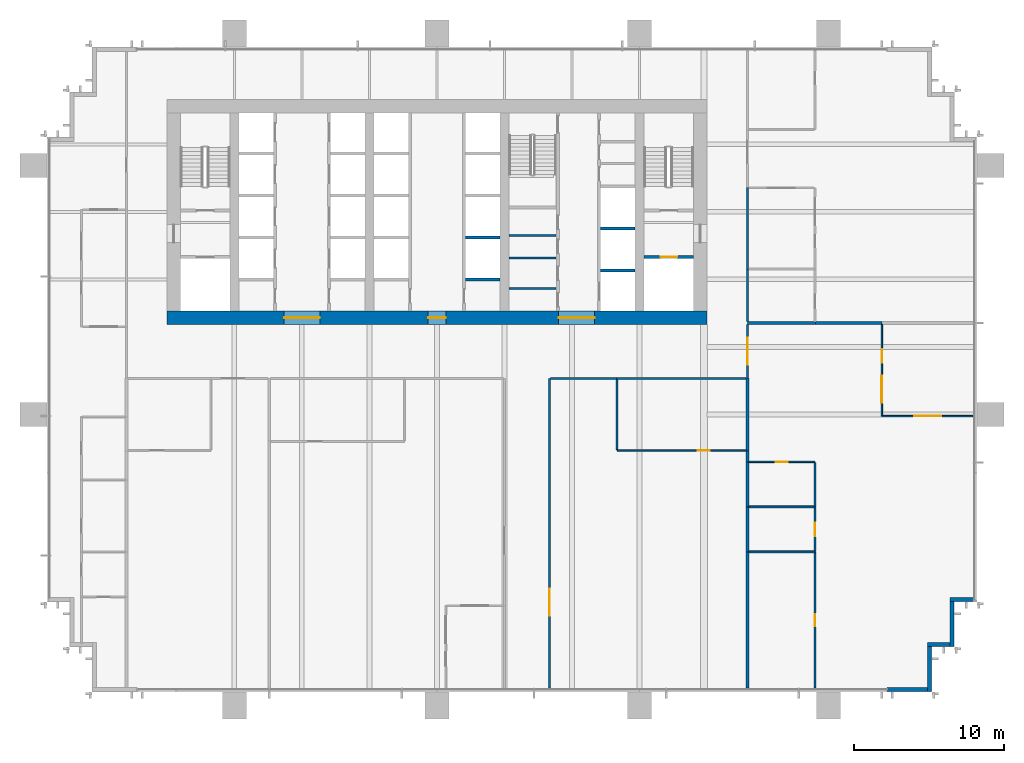
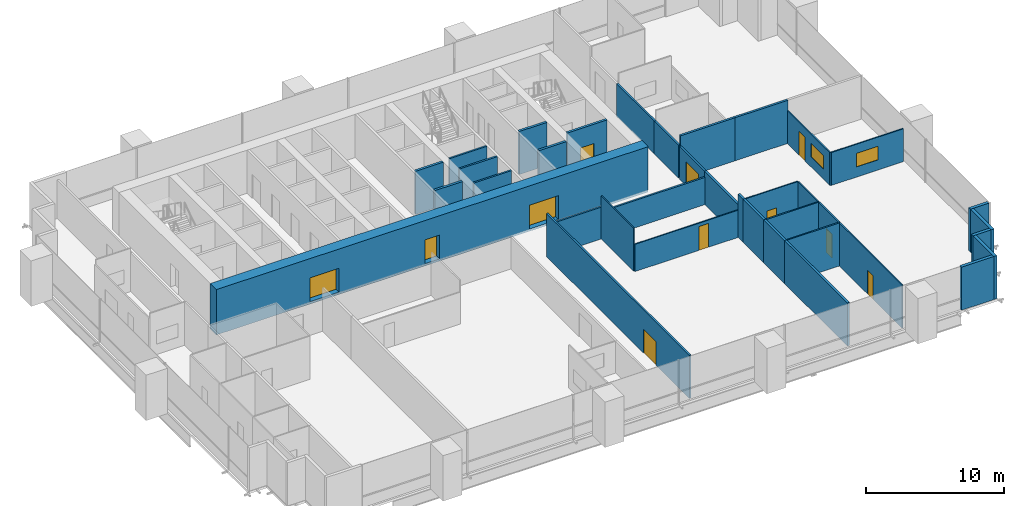
# One storey, part 13 of 17: 37 walls, 11 doors, 2 windows, 13 openings.
"""IFC4 building model written with IfcOpenShell, lengths in metres."""

from ifc_helpers import new_model, si_unit, direction, frame, frame_2d, origin, place, context, subcontext, project, spatial, rectangle, extrude, material, layer, layer_set, type_object, element, fill, save


model = new_model("IFC4")

# Units and contexts
model_context = context("Model", 3, precision=1e-05, world=origin(), true_north=direction((0.0, 1.0)))
body_context = subcontext(model_context, "Body", "Model", "MODEL_VIEW")
ifc_project = project(units=[si_unit("LENGTHUNIT", "METRE"), si_unit("AREAUNIT", "SQUARE_METRE"), si_unit("VOLUMEUNIT", "CUBIC_METRE"), si_unit("PLANEANGLEUNIT", "RADIAN"), si_unit("MASSUNIT", "GRAM", prefix="KILO")], contexts=[model_context])

# Site, building, storey
site_placement = place(None, origin())
site = spatial("IfcSite", under=ifc_project, at=site_placement, CompositionType="ELEMENT")
building_placement = place(site_placement, origin())
building = spatial("IfcBuilding", under=site, at=building_placement, Name="Rattan Terrace Tower", CompositionType="ELEMENT")
storey_placement = place(building_placement, frame((0.0, 0.0, 95.699951171875)))
storey = spatial("IfcBuildingStorey", under=building, at=storey_placement, Name="L21", CompositionType="ELEMENT", Elevation=95.699951171875)

# Walls
ifc_material_1 = material(Name="Gypsum board partition")
ifc_layer_1 = layer(ifc_material_1, 0.14990234375)
ifc_layer_set_1 = layer_set([ifc_layer_1], Name="Core partition 150")
wall_type_1 = type_object("IfcWallType", Name="Core partition 150", PredefinedType="PARTITIONING", material=ifc_layer_set_1)
for number, where, z_axis, x_axis, name in (
    (1, (4.800048828125, -5.10400390625, 0.0), (0.0, 0.0, 1.0), (1.0, 0.0, 0.0), "Toilet wall"),
    (2, (4.800048828125, -3.06396484375, 0.0), (0.0, 0.0, 1.0), (1.0, 0.0, 0.0), "Toilet wall"),
    (3, (4.800048828125, -1.568115234375, 0.0), (0.0, 0.0, 1.0), (1.0, 0.0, 0.0), "Toilet wall"),
):
    element("IfcWall", number, at=place(storey_placement, frame(where, z_axis=z_axis, x_axis=x_axis)), inside=storey, type_object=wall_type_1, Name=name, PredefinedType="PARTITIONING", context=body_context, shape_type="SweptSolid", body=[
        extrude(rectangle(XDim=3.14990234375, YDim=0.14990234375, at=frame_2d((1.574951171875, 0.0))), origin(), (0.0, 0.0, 1.0), 3.800048828125),
    ])

# Wall, opening, door
ifc_material_2 = material(Name="Gypsum board partition")
ifc_layer_2 = layer(ifc_material_2, 0.199951171875)
ifc_layer_set_2 = layer_set([ifc_layer_2], Name="Core partition 200")
wall_type_2 = type_object("IfcWallType", Name="Core partition 200", PredefinedType="PARTITIONING", material=ifc_layer_set_2)
wall_1_placement = place(storey_placement, frame((13.800048828125, -3.0, 0.0), z_axis=(0.0, 0.0, 1.0), x_axis=(1.0, 0.0, 0.0)))
wall_1 = element("IfcWall", 4, at=wall_1_placement, inside=storey, type_object=wall_type_2, Name="Fire-fighting lobby wall", PredefinedType="PARTITIONING", context=body_context, shape_type="SweptSolid", body=[
    extrude(rectangle(XDim=3.300048828125, YDim=0.199951171875, at=frame_2d((1.64990234375, 0.0))), origin(), (0.0, 0.0, 1.0), 3.800048828125),
])
opening_1_placement = place(wall_1_placement, frame((1.10009765625, 0.0, 0.0)))
opening_1 = element("IfcOpeningElement", 5, at=opening_1_placement, cuts=wall_1, Name="Opening L21-LD-FF2", PredefinedType="OPENING", context=body_context, shape_type="SweptSolid", body=[
    extrude(rectangle(XDim=1.10009765625, YDim=2.10009765625, at=frame_2d((0.550048828125, 1.050048828125))), frame((0.0, 0.110595703125, 0.0), z_axis=(0.0, -1.0, 0.0), x_axis=(1.0, 0.0, 0.0)), (0.0, 0.0, 1.0), 0.220947265625),
])
ifc_material_3 = material(Name="Brushed stainless landing door panel")
door_type_1 = type_object("IfcDoorType", Name="Core lift landing door 1100", OperationType="DOUBLE_DOOR_SLIDING", PredefinedType="DOOR", material=ifc_material_3)
door_1_placement = place(opening_1_placement, origin())
door_1 = element("IfcDoor", 6, at=door_1_placement, inside=storey, type_object=door_type_1, Name="Door L21-LD-FF2", OperationType="DOUBLE_DOOR_SLIDING", OverallHeight=2.10009765625, OverallWidth=1.10009765625, PredefinedType="DOOR", context=body_context, shape_type="SweptSolid", body=[
    extrude(rectangle(XDim=1.10009765625, YDim=2.10009765625, at=frame_2d((0.550048828125, 1.050048828125))), frame((0.0, 0.02490234375, 0.0), z_axis=(0.0, -1.0, 0.0), x_axis=(1.0, 0.0, 0.0)), (0.0, 0.0, 1.0), 0.050048828125),
])
fill(opening_1, door_1)

# Wall, openings, doors
ifc_material_4 = material(Name="Concrete C70/85", Category="concrete")
ifc_layer_3 = layer(ifc_material_4, 0.89990234375)
ifc_layer_set_3 = layer_set([ifc_layer_3], Name="Core ring wall 900 C70/85")
wall_type_3 = type_object("IfcWallType", Name="Core ring wall 900 C70/85", PredefinedType="SHEAR", material=ifc_layer_set_3)
wall_2_placement = place(storey_placement, frame((-18.0, -7.050048828125, -0.199951171875), z_axis=(0.0, 0.0, 1.0), x_axis=(1.0, 0.0, 0.0)))
wall_2 = element("IfcWall", 7, at=wall_2_placement, inside=storey, type_object=wall_type_3, Name="Rear core wall south", PredefinedType="SHEAR", context=body_context, shape_type="SweptSolid", body=[
    extrude(rectangle(XDim=36.0, YDim=0.89990234375, at=frame_2d((18.0, 0.0))), origin(), (0.0, 0.0, 1.0), 4.0),
])
opening_2_placement = place(wall_2_placement, frame((7.800048828125, 0.0, 0.199951171875)))
opening_2 = element("IfcOpeningElement", 8, at=opening_2_placement, cuts=wall_2, Name="Opening L21-D007", PredefinedType="OPENING", context=body_context, shape_type="SweptSolid", body=[
    extrude(rectangle(XDim=2.39990234375, YDim=2.10009765625, at=frame_2d((1.199951171875, 1.050048828125))), frame((0.0, 0.46044921875, 0.0), z_axis=(0.0, -1.0, 0.0), x_axis=(1.0, 0.0, 0.0)), (0.0, 0.0, 1.0), 0.9208984375),
])
opening_3_placement = place(wall_2_placement, frame((17.39990234375, 0.0, 0.199951171875)))
opening_3 = element("IfcOpeningElement", 9, at=opening_3_placement, cuts=wall_2, Name="Opening L21-D010", PredefinedType="OPENING", context=body_context, shape_type="SweptSolid", body=[
    extrude(rectangle(XDim=1.199951171875, YDim=2.10009765625, at=frame_2d((0.60009765625, 1.050048828125))), frame((0.0, 0.46044921875, 0.0), z_axis=(0.0, -1.0, 0.0), x_axis=(1.0, 0.0, 0.0)), (0.0, 0.0, 1.0), 0.9208984375),
])
opening_4_placement = place(wall_2_placement, frame((26.10009765625, 0.0, 0.199951171875)))
opening_4 = element("IfcOpeningElement", 10, at=opening_4_placement, cuts=wall_2, Name="Opening L21-D016", PredefinedType="OPENING", context=body_context, shape_type="SweptSolid", body=[
    extrude(rectangle(XDim=2.39990234375, YDim=2.10009765625, at=frame_2d((1.199951171875, 1.050048828125))), frame((0.0, 0.46044921875, 0.0), z_axis=(0.0, -1.0, 0.0), x_axis=(1.0, 0.0, 0.0)), (0.0, 0.0, 1.0), 0.9208984375),
])
ifc_material_5 = material(Name="Hollow-metal fire door leaf")
door_type_2 = type_object("IfcDoorType", Name="Core lift lobby door 2400", OperationType="NOTDEFINED", PredefinedType="DOOR", material=ifc_material_5)
door_2_placement = place(opening_2_placement, origin())
door_2 = element("IfcDoor", 11, at=door_2_placement, inside=storey, type_object=door_type_2, Name="Door L21-D007", OperationType="DOUBLE_DOOR_DOUBLE_SWING", OverallHeight=2.10009765625, OverallWidth=2.39990234375, PredefinedType="DOOR", context=body_context, shape_type="SweptSolid", body=[
    extrude(rectangle(XDim=2.39990234375, YDim=2.10009765625, at=frame_2d((1.199951171875, 1.050048828125))), frame((0.0, 0.02490234375, 0.0), z_axis=(0.0, -1.0, 0.0), x_axis=(1.0, 0.0, 0.0)), (0.0, 0.0, 1.0), 0.050048828125),
])
fill(opening_2, door_2)
door_3_placement = place(opening_4_placement, origin())
door_3 = element("IfcDoor", 12, at=door_3_placement, inside=storey, type_object=door_type_2, Name="Door L21-D016", OperationType="DOUBLE_DOOR_DOUBLE_SWING", OverallHeight=2.10009765625, OverallWidth=2.39990234375, PredefinedType="DOOR", context=body_context, shape_type="SweptSolid", body=[
    extrude(rectangle(XDim=2.39990234375, YDim=2.10009765625, at=frame_2d((1.199951171875, 1.050048828125))), frame((0.0, 0.02490234375, 0.0), z_axis=(0.0, -1.0, 0.0), x_axis=(1.0, 0.0, 0.0)), (0.0, 0.0, 1.0), 0.050048828125),
])
fill(opening_4, door_3)
ifc_material_6 = material(Name="Hollow-metal fire door leaf")
door_type_3 = type_object("IfcDoorType", Name="Core riser door 1200", OperationType="NOTDEFINED", PredefinedType="DOOR", material=ifc_material_6)
door_4_placement = place(opening_3_placement, origin())
door_4 = element("IfcDoor", 13, at=door_4_placement, inside=storey, type_object=door_type_3, Name="Door L21-D010", OperationType="SINGLE_SWING_LEFT", OverallHeight=2.10009765625, OverallWidth=1.199951171875, PredefinedType="DOOR", context=body_context, shape_type="SweptSolid", body=[
    extrude(rectangle(XDim=1.199951171875, YDim=2.10009765625, at=frame_2d((0.60009765625, 1.050048828125))), frame((0.0, 0.02490234375, 0.0), z_axis=(0.0, -1.0, 0.0), x_axis=(1.0, 0.0, 0.0)), (0.0, 0.0, 1.0), 0.050048828125),
])
fill(opening_3, door_4)

# Walls
ifc_material_7 = material(Name="Insulated aluminium-clad stud wall", Category="aluminium")
ifc_layer_4 = layer(ifc_material_7, 0.25)
ifc_layer_set_4 = layer_set([ifc_layer_4], Name="Facade Riser Wall 250")
wall_type_4 = type_object("IfcWallType", Name="Facade Riser Wall 250", PredefinedType="SOLIDWALL", material=ifc_layer_set_4)
wall_3_placement = place(storey_placement, frame((30.0, -31.830078125, 0.0), z_axis=(0.0, 0.0, 1.0), x_axis=(1.0, 0.0, 0.0)))
element("IfcWall", 14, at=wall_3_placement, inside=storey, type_object=wall_type_4, Name="Riser wall L21-1", PredefinedType="SOLIDWALL", context=body_context, shape_type="SweptSolid", body=[
    extrude(rectangle(XDim=2.705078125, YDim=0.25, at=frame_2d((1.3525390625, 0.0))), origin(), (0.0, 0.0, 1.0), 3.800048828125),
])
wall_4_placement = place(storey_placement, frame((32.830078125, -31.955078125, 0.0), z_axis=(0.0, 0.0, 1.0), x_axis=(0.0, 1.0, 0.0)))
element("IfcWall", 15, at=wall_4_placement, inside=storey, type_object=wall_type_4, Name="Riser wall L21-2", PredefinedType="SOLIDWALL", context=body_context, shape_type="SweptSolid", body=[
    extrude(rectangle(XDim=3.0, YDim=0.25, at=frame_2d((1.5, 0.0))), origin(), (0.0, 0.0, 1.0), 3.800048828125),
])
wall_5_placement = place(storey_placement, frame((32.705078125, -28.830078125, 0.0), z_axis=(0.0, 0.0, 1.0), x_axis=(1.0, 0.0, 0.0)))
element("IfcWall", 16, at=wall_5_placement, inside=storey, type_object=wall_type_4, Name="Riser wall L21-3", PredefinedType="SOLIDWALL", context=body_context, shape_type="SweptSolid", body=[
    extrude(rectangle(XDim=1.5, YDim=0.25, at=frame_2d((0.75, 0.0))), origin(), (0.0, 0.0, 1.0), 3.800048828125),
])
wall_6_placement = place(storey_placement, frame((34.330078125, -28.955078125, 0.0), z_axis=(0.0, 0.0, 1.0), x_axis=(0.0, 1.0, 0.0)))
element("IfcWall", 17, at=wall_6_placement, inside=storey, type_object=wall_type_4, Name="Riser wall L21-4", PredefinedType="SOLIDWALL", context=body_context, shape_type="SweptSolid", body=[
    extrude(rectangle(XDim=3.0, YDim=0.25, at=frame_2d((1.5, 0.0))), origin(), (0.0, 0.0, 1.0), 3.800048828125),
])
wall_7_placement = place(storey_placement, frame((34.205078125, -25.830078125, 0.0), z_axis=(0.0, 0.0, 1.0), x_axis=(1.0, 0.0, 0.0)))
element("IfcWall", 18, at=wall_7_placement, inside=storey, type_object=wall_type_4, Name="Riser wall L21-5", PredefinedType="SOLIDWALL", context=body_context, shape_type="SweptSolid", body=[
    extrude(rectangle(XDim=1.544921875, YDim=0.25, at=frame_2d((0.7724609375, 0.0))), origin(), (0.0, 0.0, 1.0), 3.800048828125),
])
ifc_material_8 = material(Name="Double steel stud acoustic partition, gypsum board, mineral wool, fire rated", Category="steel")
ifc_layer_5 = layer(ifc_material_8, 0.179931640625)
ifc_layer_set_5 = layer_set([ifc_layer_5], Name="Floors Acoustic Party Wall 180")
wall_type_5 = type_object("IfcWallType", Name="Floors Acoustic Party Wall 180", PredefinedType="PARTITIONING", material=ifc_layer_set_5)
wall_8_placement = place(storey_placement, frame((25.219970703125, -7.39990234375, 0.0), z_axis=(0.0, 0.0, 1.0), x_axis=(1.0, 0.0, 0.0)))
element("IfcWall", 19, at=wall_8_placement, inside=storey, type_object=wall_type_5, Name="pt-L21-041", PredefinedType="PARTITIONING", context=body_context, shape_type="SweptSolid", body=[
    extrude(rectangle(XDim=4.43994140625, YDim=0.179931640625, at=frame_2d((2.219970703125, 0.0))), origin(), (0.0, 0.0, 1.0), 3.800048828125),
])
wall_9_placement = place(storey_placement, frame((20.699951171875, -7.39990234375, 0.0), z_axis=(0.0, 0.0, 1.0), x_axis=(1.0, 0.0, 0.0)))
element("IfcWall", 20, at=wall_9_placement, inside=storey, type_object=wall_type_5, Name="pt-L21-042", PredefinedType="PARTITIONING", context=body_context, shape_type="SweptSolid", body=[
    extrude(rectangle(XDim=4.52001953125, YDim=0.179931640625, at=frame_2d((2.260009765625, 0.0))), origin(), (0.0, 0.0, 1.0), 3.800048828125),
])
wall_10_placement = place(storey_placement, frame((20.699951171875, -16.659912109375, 0.0), z_axis=(0.0, 0.0, 1.0), x_axis=(0.0, 1.0, 0.0)))
element("IfcWall", 21, at=wall_10_placement, inside=storey, type_object=wall_type_5, Name="pt-L21-043", PredefinedType="PARTITIONING", context=body_context, shape_type="SweptSolid", body=[
    extrude(rectangle(XDim=0.739990234375, YDim=0.179931640625, at=frame_2d((0.3701171875, 0.0))), origin(), (0.0, 0.0, 1.0), 3.800048828125),
])
wall_11_placement = place(storey_placement, frame((20.699951171875, -15.919921875, 0.0), z_axis=(0.0, 0.0, 1.0), x_axis=(0.0, 1.0, 0.0)))
element("IfcWall", 22, at=wall_11_placement, inside=storey, type_object=wall_type_5, Name="pt-L21-044", PredefinedType="PARTITIONING", context=body_context, shape_type="SweptSolid", body=[
    extrude(rectangle(XDim=4.83984375, YDim=0.179931640625, at=frame_2d((2.419921875, 0.0))), origin(), (0.0, 0.0, 1.0), 2.900146484375),
])
wall_12_placement = place(storey_placement, frame((20.699951171875, -31.739990234375, 0.0), z_axis=(0.0, 0.0, 1.0), x_axis=(0.0, 1.0, 0.0)))
element("IfcWall", 23, at=wall_12_placement, inside=storey, type_object=wall_type_5, Name="pt-L21-047", PredefinedType="PARTITIONING", context=body_context, shape_type="SweptSolid", body=[
    extrude(rectangle(XDim=9.080078125, YDim=0.179931640625, at=frame_2d((4.5400390625, 0.0))), origin(), (0.0, 0.0, 1.0), 3.800048828125),
])
for number, where, z_axis, x_axis, name in (
    (24, (20.699951171875, -22.659912109375, 0.0), (0.0, 0.0, 1.0), (0.0, 1.0, 0.0), "pt-L21-049"),
    (25, (20.699951171875, -19.659912109375, 0.0), (0.0, 0.0, 1.0), (0.0, 1.0, 0.0), "pt-L21-050"),
):
    element("IfcWall", number, at=place(storey_placement, frame(where, z_axis=z_axis, x_axis=x_axis)), inside=storey, type_object=wall_type_5, Name=name, PredefinedType="PARTITIONING", context=body_context, shape_type="SweptSolid", body=[
        extrude(rectangle(XDim=3.0, YDim=0.179931640625, at=frame_2d((1.5, 0.0))), origin(), (0.0, 0.0, 1.0), 3.800048828125),
    ])

# Wall, openings, door, window
ifc_material_9 = material(Name="Gypsum board partition on steel studs", Category="steel")
ifc_layer_6 = layer(ifc_material_9, 0.10009765625)
ifc_layer_set_6 = layer_set([ifc_layer_6], Name="Floors Partition 100")
wall_type_6 = type_object("IfcWallType", Name="Floors Partition 100", PredefinedType="PARTITIONING", material=ifc_layer_set_6)
wall_13_placement = place(storey_placement, frame((29.659912109375, -7.489990234375, 0.0), z_axis=(0.0, 0.0, 1.0), x_axis=(0.0, -1.0, 0.0)))
wall_13 = element("IfcWall", 26, at=wall_13_placement, inside=storey, type_object=wall_type_6, Name="pt-L21-035", PredefinedType="PARTITIONING", context=body_context, shape_type="SweptSolid", body=[
    extrude(rectangle(XDim=6.110107421875, YDim=0.10009765625, at=frame_2d((3.05517578125, 0.0))), origin(), (0.0, 0.0, 1.0), 2.900146484375),
])
opening_5_placement = place(wall_13_placement, frame((1.6630859375, 0.0, 0.0)))
opening_5 = element("IfcOpeningElement", 27, at=opening_5_placement, cuts=wall_13, Name="Opening L21-D107", PredefinedType="OPENING", context=body_context, shape_type="SweptSolid", body=[
    extrude(rectangle(XDim=0.89990234375, YDim=2.10009765625, at=frame_2d((0.449951171875, 1.050048828125))), frame((0.0, 0.060546875, 0.0), z_axis=(0.0, -1.0, 0.0), x_axis=(1.0, 0.0, 0.0)), (0.0, 0.0, 1.0), 0.12109375),
])
opening_6_placement = place(wall_13_placement, frame((3.412109375, 0.0, 0.89990234375)))
opening_6 = element("IfcOpeningElement", 28, at=opening_6_placement, cuts=wall_13, Name="Opening L21-W103", PredefinedType="OPENING", context=body_context, shape_type="SweptSolid", body=[
    extrude(rectangle(XDim=1.800048828125, YDim=1.199951171875, at=frame_2d((0.89990234375, 0.60009765625))), frame((0.0, 0.060546875, 0.0), z_axis=(0.0, -1.0, 0.0), x_axis=(1.0, 0.0, 0.0)), (0.0, 0.0, 1.0), 0.12109375),
])
ifc_material_10 = material(Name="Solid core timber door, painted", Category="wood")
door_type_4 = type_object("IfcDoorType", Name="Floors Door 900x2100", OperationType="NOTDEFINED", PredefinedType="DOOR", material=ifc_material_10)
door_5_placement = place(opening_5_placement, origin())
door_5 = element("IfcDoor", 29, at=door_5_placement, inside=storey, type_object=door_type_4, Name="d-L21-107", OperationType="SINGLE_SWING_LEFT", OverallHeight=2.10009765625, OverallWidth=0.89990234375, PredefinedType="DOOR", context=body_context, shape_type="SweptSolid", body=[
    extrude(rectangle(XDim=0.89990234375, YDim=2.10009765625, at=frame_2d((0.449951171875, 1.050048828125))), frame((0.0, 0.02490234375, 0.0), z_axis=(0.0, -1.0, 0.0), x_axis=(1.0, 0.0, 0.0)), (0.0, 0.0, 1.0), 0.050048828125),
])
fill(opening_5, door_5)
ifc_material_11 = material(Name="Glass, clear, fixed in aluminium frame", Category="aluminium")
window_type = type_object("IfcWindowType", Name="Interior Vision Window 1800x1200", PartitioningType="SINGLE_PANEL", PredefinedType="WINDOW", material=ifc_material_11)
window_1_placement = place(opening_6_placement, origin())
window_1 = element("IfcWindow", 30, at=window_1_placement, inside=storey, type_object=window_type, Name="w-L21-103", OverallHeight=1.199951171875, OverallWidth=1.800048828125, PartitioningType="SINGLE_PANEL", PredefinedType="WINDOW", context=body_context, shape_type="SweptSolid", body=[
    extrude(rectangle(XDim=1.800048828125, YDim=1.199951171875, at=frame_2d((0.89990234375, 0.60009765625))), frame((0.0, 0.030029296875, 0.0), z_axis=(0.0, -1.0, 0.0), x_axis=(1.0, 0.0, 0.0)), (0.0, 0.0, 1.0), 0.06005859375),
])
fill(opening_6, window_1)

# Wall, opening, window
wall_14_placement = place(storey_placement, frame((29.7099609375, -13.60009765625, 0.0), z_axis=(0.0, 0.0, 1.0), x_axis=(1.0, 0.0, 0.0)))
wall_14 = element("IfcWall", 31, at=wall_14_placement, inside=storey, type_object=wall_type_6, Name="pt-L21-036", PredefinedType="PARTITIONING", context=body_context, shape_type="SweptSolid", body=[
    extrude(rectangle(XDim=6.030029296875, YDim=0.10009765625, at=frame_2d((3.01513671875, 0.0))), origin(), (0.0, 0.0, 1.0), 2.900146484375),
])
opening_7_placement = place(wall_14_placement, frame((2.114990234375, 0.0, 0.89990234375)))
opening_7 = element("IfcOpeningElement", 32, at=opening_7_placement, cuts=wall_14, Name="Opening L21-W104", PredefinedType="OPENING", context=body_context, shape_type="SweptSolid", body=[
    extrude(rectangle(XDim=1.800048828125, YDim=1.199951171875, at=frame_2d((0.89990234375, 0.60009765625))), frame((0.0, 0.060546875, 0.0), z_axis=(0.0, -1.0, 0.0), x_axis=(1.0, 0.0, 0.0)), (0.0, 0.0, 1.0), 0.12109375),
])
window_2_placement = place(opening_7_placement, origin())
window_2 = element("IfcWindow", 33, at=window_2_placement, inside=storey, type_object=window_type, Name="w-L21-104", OverallHeight=1.199951171875, OverallWidth=1.800048828125, PartitioningType="SINGLE_PANEL", PredefinedType="WINDOW", context=body_context, shape_type="SweptSolid", body=[
    extrude(rectangle(XDim=1.800048828125, YDim=1.199951171875, at=frame_2d((0.89990234375, 0.60009765625))), frame((0.0, 0.030029296875, 0.0), z_axis=(0.0, -1.0, 0.0), x_axis=(1.0, 0.0, 0.0)), (0.0, 0.0, 1.0), 0.06005859375),
])
fill(opening_7, window_2)

# Wall, opening, door
wall_15_placement = place(storey_placement, frame((25.199951171875, -31.739990234375, 0.0), z_axis=(0.0, 0.0, 1.0), x_axis=(0.0, 1.0, 0.0)))
wall_15 = element("IfcWall", 34, at=wall_15_placement, inside=storey, type_object=wall_type_6, Name="pt-L21-037", PredefinedType="PARTITIONING", context=body_context, shape_type="SweptSolid", body=[
    extrude(rectangle(XDim=9.06005859375, YDim=0.10009765625, at=frame_2d((4.530029296875, 0.0))), origin(), (0.0, 0.0, 1.0), 3.800048828125),
])
opening_8_placement = place(wall_15_placement, frame((4.1298828125, 0.0, 0.0)))
opening_8 = element("IfcOpeningElement", 35, at=opening_8_placement, cuts=wall_15, Name="Opening L21-D108", PredefinedType="OPENING", context=body_context, shape_type="SweptSolid", body=[
    extrude(rectangle(XDim=0.800048828125, YDim=2.10009765625, at=frame_2d((0.39990234375, 1.050048828125))), frame((0.0, 0.060546875, 0.0), z_axis=(0.0, -1.0, 0.0), x_axis=(1.0, 0.0, 0.0)), (0.0, 0.0, 1.0), 0.12109375),
])
ifc_material_12 = material(Name="Solid core timber door, painted", Category="wood")
door_type_5 = type_object("IfcDoorType", Name="Floors Store Door 800x2100", OperationType="NOTDEFINED", PredefinedType="DOOR", material=ifc_material_12)
door_6_placement = place(opening_8_placement, origin())
door_6 = element("IfcDoor", 36, at=door_6_placement, inside=storey, type_object=door_type_5, Name="d-L21-108", OperationType="SINGLE_SWING_LEFT", OverallHeight=2.10009765625, OverallWidth=0.800048828125, PredefinedType="DOOR", context=body_context, shape_type="SweptSolid", body=[
    extrude(rectangle(XDim=0.800048828125, YDim=2.10009765625, at=frame_2d((0.39990234375, 1.050048828125))), frame((0.0, 0.02490234375, 0.0), z_axis=(0.0, -1.0, 0.0), x_axis=(1.0, 0.0, 0.0)), (0.0, 0.0, 1.0), 0.050048828125),
])
fill(opening_8, door_6)

wall_16_placement = place(storey_placement, frame((25.199951171875, -16.659912109375, 0.0), z_axis=(0.0, 0.0, 1.0), x_axis=(-1.0, 0.0, 0.0)))
wall_16 = element("IfcWall", 37, at=wall_16_placement, inside=storey, type_object=wall_type_6, Name="pt-L21-039", PredefinedType="PARTITIONING", context=body_context, shape_type="SweptSolid", body=[
    extrude(rectangle(XDim=4.409912109375, YDim=0.10009765625, at=frame_2d((2.205078125, 0.0))), origin(), (0.0, 0.0, 1.0), 3.800048828125),
])
opening_9_placement = place(wall_16_placement, frame((1.804931640625, 0.0, 0.0)))
opening_9 = element("IfcOpeningElement", 38, at=opening_9_placement, cuts=wall_16, Name="Opening L21-D110", PredefinedType="OPENING", context=body_context, shape_type="SweptSolid", body=[
    extrude(rectangle(XDim=0.800048828125, YDim=2.10009765625, at=frame_2d((0.39990234375, 1.050048828125))), frame((0.0, 0.060546875, 0.0), z_axis=(0.0, -1.0, 0.0), x_axis=(1.0, 0.0, 0.0)), (0.0, 0.0, 1.0), 0.12109375),
])
door_7_placement = place(opening_9_placement, origin())
door_7 = element("IfcDoor", 39, at=door_7_placement, inside=storey, type_object=door_type_5, Name="d-L21-110", OperationType="SINGLE_SWING_LEFT", OverallHeight=2.10009765625, OverallWidth=0.800048828125, PredefinedType="DOOR", context=body_context, shape_type="SweptSolid", body=[
    extrude(rectangle(XDim=0.800048828125, YDim=2.10009765625, at=frame_2d((0.39990234375, 1.050048828125))), frame((0.0, 0.02490234375, 0.0), z_axis=(0.0, -1.0, 0.0), x_axis=(1.0, 0.0, 0.0)), (0.0, 0.0, 1.0), 0.050048828125),
])
fill(opening_9, door_7)

# Walls
wall_17_placement = place(storey_placement, frame((25.199951171875, -19.639892578125, 0.0), z_axis=(0.0, 0.0, 1.0), x_axis=(0.0, 1.0, 0.0)))
element("IfcWall", 40, at=wall_17_placement, inside=storey, type_object=wall_type_6, Name="pt-L21-040", PredefinedType="PARTITIONING", context=body_context, shape_type="SweptSolid", body=[
    extrude(rectangle(XDim=2.929931640625, YDim=0.10009765625, at=frame_2d((1.46484375, 0.0))), origin(), (0.0, 0.0, 1.0), 3.800048828125),
])
wall_18_placement = place(storey_placement, frame((12.0, -11.175048828125, 0.0), z_axis=(0.0, 0.0, 1.0), x_axis=(0.0, -1.0, 0.0)))
element("IfcWall", 41, at=wall_18_placement, inside=storey, type_object=wall_type_6, Name="pt-L21-065", PredefinedType="PARTITIONING", context=body_context, shape_type="SweptSolid", body=[
    extrude(rectangle(XDim=4.675048828125, YDim=0.10009765625, at=frame_2d((2.33740234375, 0.0))), origin(), (0.0, 0.0, 1.0), 3.800048828125),
])

# Wall, opening, door
wall_19_placement = place(storey_placement, frame((12.0, -15.89990234375, 0.0), z_axis=(0.0, 0.0, 1.0), x_axis=(1.0, 0.0, 0.0)))
wall_19 = element("IfcWall", 42, at=wall_19_placement, inside=storey, type_object=wall_type_6, Name="pt-L21-066", PredefinedType="PARTITIONING", context=body_context, shape_type="SweptSolid", body=[
    extrude(rectangle(XDim=8.610107421875, YDim=0.10009765625, at=frame_2d((4.30517578125, 0.0))), origin(), (0.0, 0.0, 1.0), 2.400146484375),
])
opening_10_placement = place(wall_19_placement, frame((5.366943359375, 0.0, 0.0)))
opening_10 = element("IfcOpeningElement", 43, at=opening_10_placement, cuts=wall_19, Name="Opening L21-D121", PredefinedType="OPENING", context=body_context, shape_type="SweptSolid", body=[
    extrude(rectangle(XDim=0.800048828125, YDim=2.10009765625, at=frame_2d((0.39990234375, 1.050048828125))), frame((0.0, 0.060546875, 0.0), z_axis=(0.0, -1.0, 0.0), x_axis=(1.0, 0.0, 0.0)), (0.0, 0.0, 1.0), 0.12109375),
])
door_8_placement = place(opening_10_placement, origin())
door_8 = element("IfcDoor", 44, at=door_8_placement, inside=storey, type_object=door_type_5, Name="d-L21-121", OperationType="SINGLE_SWING_RIGHT", OverallHeight=2.10009765625, OverallWidth=0.800048828125, PredefinedType="DOOR", context=body_context, shape_type="SweptSolid", body=[
    extrude(rectangle(XDim=0.800048828125, YDim=2.10009765625, at=frame_2d((0.39990234375, 1.050048828125))), frame((0.0, 0.02490234375, 0.0), z_axis=(0.0, -1.0, 0.0), x_axis=(1.0, 0.0, 0.0)), (0.0, 0.0, 1.0), 0.050048828125),
])
fill(opening_10, door_8)

ifc_material_13 = material(Name="Gypsum board partition on steel studs, fire rated", Category="steel")
ifc_layer_7 = layer(ifc_material_13, 0.14990234375)
ifc_layer_set_7 = layer_set([ifc_layer_7], Name="Floors Tenancy Wall 150")
wall_type_7 = type_object("IfcWallType", Name="Floors Tenancy Wall 150", PredefinedType="PARTITIONING", material=ifc_layer_set_7)
wall_20_placement = place(storey_placement, frame((20.699951171875, -7.489990234375, 0.0), z_axis=(0.0, 0.0, 1.0), x_axis=(0.0, -1.0, 0.0)))
wall_20 = element("IfcWall", 45, at=wall_20_placement, inside=storey, type_object=wall_type_7, Name="pt-L21-004", PredefinedType="PARTITIONING", context=body_context, shape_type="SweptSolid", body=[
    extrude(rectangle(XDim=3.590087890625, YDim=0.14990234375, at=frame_2d((1.794921875, 0.0))), origin(), (0.0, 0.0, 1.0), 2.900146484375),
])
opening_11_placement = place(wall_20_placement, frame((0.89501953125, 0.0, 0.0)))
opening_11 = element("IfcOpeningElement", 46, at=opening_11_placement, cuts=wall_20, Name="Opening L21-D106", PredefinedType="OPENING", context=body_context, shape_type="SweptSolid", body=[
    extrude(rectangle(XDim=1.800048828125, YDim=2.10009765625, at=frame_2d((0.89990234375, 1.050048828125))), frame((0.0, 0.08544921875, 0.0), z_axis=(0.0, -1.0, 0.0), x_axis=(1.0, 0.0, 0.0)), (0.0, 0.0, 1.0), 0.1708984375),
])
ifc_material_14 = material(Name="Steel fire door set", Category="steel")
door_type_6 = type_object("IfcDoorType", Name="Floors Fire Door Pair FD30S 1800x2100", OperationType="NOTDEFINED", PredefinedType="DOOR", material=ifc_material_14)
door_9_placement = place(opening_11_placement, origin())
door_9 = element("IfcDoor", 47, at=door_9_placement, inside=storey, type_object=door_type_6, Name="d-L21-106", OperationType="DOUBLE_DOOR_SINGLE_SWING", OverallHeight=2.10009765625, OverallWidth=1.800048828125, PredefinedType="DOOR", context=body_context, shape_type="SweptSolid", body=[
    extrude(rectangle(XDim=1.800048828125, YDim=2.10009765625, at=frame_2d((0.89990234375, 1.050048828125))), frame((0.0, 0.02490234375, 0.0), z_axis=(0.0, -1.0, 0.0), x_axis=(1.0, 0.0, 0.0)), (0.0, 0.0, 1.0), 0.050048828125),
])
fill(opening_11, door_9)

# Walls
wall_21_placement = place(storey_placement, frame((20.699951171875, -3.820068359375, 0.0), z_axis=(0.0, 0.0, 1.0), x_axis=(0.0, -1.0, 0.0)))
element("IfcWall", 48, at=wall_21_placement, inside=storey, type_object=wall_type_7, Name="pt-L21-006", PredefinedType="PARTITIONING", context=body_context, shape_type="SweptSolid", body=[
    extrude(rectangle(XDim=3.489990234375, YDim=0.14990234375, at=frame_2d((1.7451171875, 0.0))), origin(), (0.0, 0.0, 1.0), 2.900146484375),
])
wall_22_placement = place(storey_placement, frame((20.699951171875, 1.6201171875, 0.0), z_axis=(0.0, 0.0, 1.0), x_axis=(0.0, -1.0, 0.0)))
element("IfcWall", 49, at=wall_22_placement, inside=storey, type_object=wall_type_7, Name="pt-L21-007", PredefinedType="PARTITIONING", context=body_context, shape_type="SweptSolid", body=[
    extrude(rectangle(XDim=5.440185546875, YDim=0.14990234375, at=frame_2d((2.72021484375, 0.0))), origin(), (0.0, 0.0, 1.0), 2.900146484375),
])

# Wall, opening, door
wall_23_placement = place(storey_placement, frame((7.5, -11.10009765625, 0.0), z_axis=(0.0, 0.0, 1.0), x_axis=(0.0, -1.0, 0.0)))
wall_23 = element("IfcWall", 50, at=wall_23_placement, inside=storey, type_object=wall_type_7, Name="pt-L21-015", PredefinedType="PARTITIONING", context=body_context, shape_type="SweptSolid", body=[
    extrude(rectangle(XDim=20.639892578125, YDim=0.14990234375, at=frame_2d((10.31982421875, 0.0))), origin(), (0.0, 0.0, 1.0), 3.800048828125),
])
opening_12_placement = place(wall_23_placement, frame((14.0048828125, 0.0, 0.0)))
opening_12 = element("IfcOpeningElement", 51, at=opening_12_placement, cuts=wall_23, Name="Opening L21-D120", PredefinedType="OPENING", context=body_context, shape_type="SweptSolid", body=[
    extrude(rectangle(XDim=1.800048828125, YDim=2.10009765625, at=frame_2d((0.89990234375, 1.050048828125))), frame((0.0, 0.08544921875, 0.0), z_axis=(0.0, -1.0, 0.0), x_axis=(1.0, 0.0, 0.0)), (0.0, 0.0, 1.0), 0.1708984375),
])
door_10_placement = place(opening_12_placement, origin())
door_10 = element("IfcDoor", 52, at=door_10_placement, inside=storey, type_object=door_type_6, Name="d-L21-120", OperationType="DOUBLE_DOOR_SINGLE_SWING", OverallHeight=2.10009765625, OverallWidth=1.800048828125, PredefinedType="DOOR", context=body_context, shape_type="SweptSolid", body=[
    extrude(rectangle(XDim=1.800048828125, YDim=2.10009765625, at=frame_2d((0.89990234375, 1.050048828125))), frame((0.0, 0.02490234375, 0.0), z_axis=(0.0, -1.0, 0.0), x_axis=(1.0, 0.0, 0.0)), (0.0, 0.0, 1.0), 0.050048828125),
])
fill(opening_12, door_10)

# Walls
wall_24_placement = place(storey_placement, frame((11.97998046875, -11.10009765625, 0.0), z_axis=(0.0, 0.0, 1.0), x_axis=(-1.0, 0.0, 0.0)))
element("IfcWall", 53, at=wall_24_placement, inside=storey, type_object=wall_type_7, Name="pt-L21-016", PredefinedType="PARTITIONING", context=body_context, shape_type="SweptSolid", body=[
    extrude(rectangle(XDim=4.405029296875, YDim=0.14990234375, at=frame_2d((2.20263671875, 0.0))), origin(), (0.0, 0.0, 1.0), 2.800048828125),
])
wall_25_placement = place(storey_placement, frame((20.610107421875, -11.10009765625, 0.0), z_axis=(0.0, 0.0, 1.0), x_axis=(-1.0, 0.0, 0.0)))
element("IfcWall", 54, at=wall_25_placement, inside=storey, type_object=wall_type_7, Name="pt-L21-017", PredefinedType="PARTITIONING", context=body_context, shape_type="SweptSolid", body=[
    extrude(rectangle(XDim=8.630126953125, YDim=0.14990234375, at=frame_2d((4.31494140625, 0.0))), origin(), (0.0, 0.0, 1.0), 2.400146484375),
])

# Wall, opening, door
ifc_material_15 = material(Name="Moisture resistant gypsum board partition on steel studs with service cavity", Category="steel")
ifc_layer_8 = layer(ifc_material_15, 0.1201171875)
ifc_layer_set_8 = layer_set([ifc_layer_8], Name="Floors Wet Wall 120")
wall_type_8 = type_object("IfcWallType", Name="Floors Wet Wall 120", PredefinedType="PARTITIONING", material=ifc_layer_set_8)
wall_26_placement = place(storey_placement, frame((25.200927734375, -22.60009765625, 0.0), z_axis=(0.0, 0.0, 1.0), x_axis=(0.0, 1.0, 0.0)))
wall_26 = element("IfcWall", 55, at=wall_26_placement, inside=storey, type_object=wall_type_8, Name="pt-L21-038", PredefinedType="PARTITIONING", context=body_context, shape_type="SweptSolid", body=[
    extrude(rectangle(XDim=2.880126953125, YDim=0.1201171875, at=frame_2d((1.43994140625, 0.0))), origin(), (0.0, 0.0, 1.0), 3.800048828125),
])
opening_13_placement = place(wall_26_placement, frame((0.989990234375, 0.0, 0.0)))
opening_13 = element("IfcOpeningElement", 56, at=opening_13_placement, cuts=wall_26, Name="Opening L21-D109", PredefinedType="OPENING", context=body_context, shape_type="SweptSolid", body=[
    extrude(rectangle(XDim=0.89990234375, YDim=2.10009765625, at=frame_2d((0.449951171875, 1.050048828125))), frame((0.0, 0.070556640625, 0.0), z_axis=(0.0, -1.0, 0.0), x_axis=(1.0, 0.0, 0.0)), (0.0, 0.0, 1.0), 0.14111328125),
])
door_11_placement = place(opening_13_placement, origin())
door_11 = element("IfcDoor", 57, at=door_11_placement, inside=storey, type_object=door_type_4, Name="d-L21-109", OperationType="SINGLE_SWING_RIGHT", OverallHeight=2.10009765625, OverallWidth=0.89990234375, PredefinedType="DOOR", context=body_context, shape_type="SweptSolid", body=[
    extrude(rectangle(XDim=0.89990234375, YDim=2.10009765625, at=frame_2d((0.449951171875, 1.050048828125))), frame((0.0, 0.02490234375, 0.0), z_axis=(0.0, -1.0, 0.0), x_axis=(1.0, 0.0, 0.0)), (0.0, 0.0, 1.0), 0.050048828125),
])
fill(opening_13, door_11)

# Walls
for number, where, z_axis, x_axis, name in (
    (58, (20.7900390625, -22.659912109375, 0.0), (0.0, 0.0, 1.0), (1.0, 0.0, 0.0), "pt-L21-046"),
    (59, (20.7900390625, -19.659912109375, 0.0), (0.0, 0.0, 1.0), (1.0, 0.0, 0.0), "pt-L21-048"),
):
    element("IfcWall", number, at=place(storey_placement, frame(where, z_axis=z_axis, x_axis=x_axis)), inside=storey, type_object=wall_type_8, Name=name, PredefinedType="PARTITIONING", context=body_context, shape_type="SweptSolid", body=[
        extrude(rectangle(XDim=4.409912109375, YDim=0.1201171875, at=frame_2d((2.205078125, 0.0))), origin(), (0.0, 0.0, 1.0), 3.800048828125),
    ])
ifc_material_16 = material(Name="Gypsum shaft wall system")
ifc_layer_9 = layer(ifc_material_16, 0.199951171875)
ifc_layer_set_9 = layer_set([ifc_layer_9], Name="Lift shaft wall 200")
wall_type_9 = type_object("IfcWallType", Name="Lift shaft wall 200", PredefinedType="PARTITIONING", material=ifc_layer_set_9)
for number, where, z_axis, x_axis, name in (
    (60, (1.89990234375, -1.699951171875, 0.0), (0.0, 0.0, 1.0), (1.0, 0.0, 0.0), "Lift shaft wall"),
    (61, (1.89990234375, -4.5, 0.0), (0.0, 0.0, 1.0), (1.0, 0.0, 0.0), "Lift shaft wall"),
    (62, (10.89990234375, -3.89990234375, 0.0), (0.0, 0.0, 1.0), (1.0, 0.0, 0.0), "Lift shaft wall"),
    (63, (10.89990234375, -1.10009765625, 0.0), (0.0, 0.0, 1.0), (1.0, 0.0, 0.0), "Lift shaft wall"),
):
    element("IfcWall", number, at=place(storey_placement, frame(where, z_axis=z_axis, x_axis=x_axis)), inside=storey, type_object=wall_type_9, Name=name, PredefinedType="PARTITIONING", context=body_context, shape_type="SweptSolid", body=[
        extrude(rectangle(XDim=2.300048828125, YDim=0.199951171875, at=frame_2d((1.14990234375, 0.0))), origin(), (0.0, 0.0, 1.0), 3.800048828125),
    ])

save(model, "model.ifc")
